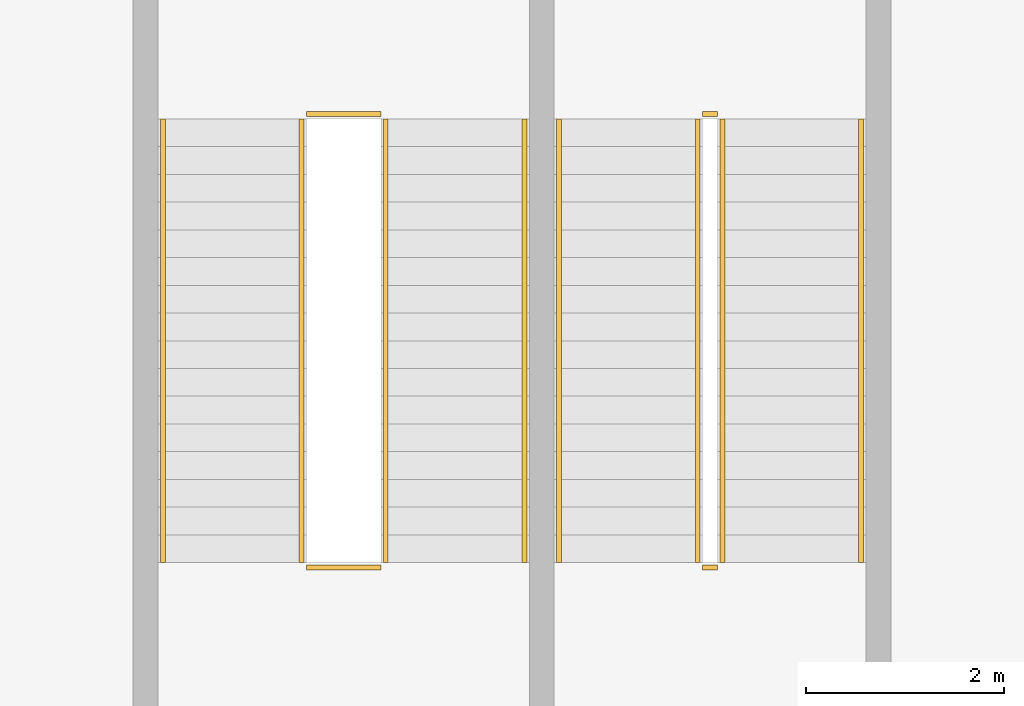
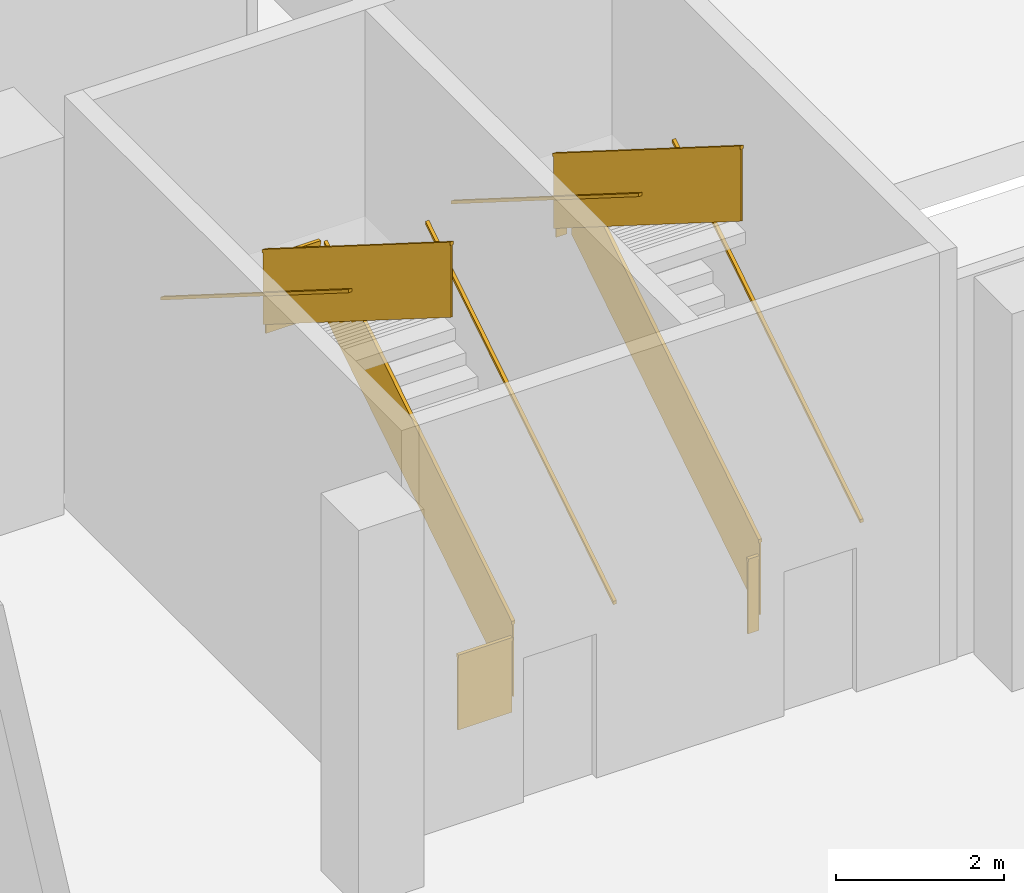
# One storey, part 22 of 24: 12 railings.
"""IFC4 building model written with IfcOpenShell, lengths in metres."""

from ifc_helpers import new_model, si_unit, direction, frame, origin, origin_2d, place, context, subcontext, project, spatial, rectangle, extrude, material, type_object, element, save


model = new_model("IFC4")

# Units and contexts
model_context = context("Model", 3, precision=1e-05, world=origin(), true_north=direction((0.0, 1.0)))
body_context = subcontext(model_context, "Body", "Model", "MODEL_VIEW")
ifc_project = project(units=[si_unit("LENGTHUNIT", "METRE"), si_unit("AREAUNIT", "SQUARE_METRE"), si_unit("VOLUMEUNIT", "CUBIC_METRE"), si_unit("PLANEANGLEUNIT", "RADIAN"), si_unit("MASSUNIT", "GRAM", prefix="KILO")], contexts=[model_context])

# Site, building, storey
site_placement = place(None, origin())
site = spatial("IfcSite", under=ifc_project, at=site_placement, CompositionType="ELEMENT")
building_placement = place(site_placement, origin())
building = spatial("IfcBuilding", under=site, at=building_placement, Name="Mirante Cascada Hotel Towers", CompositionType="ELEMENT")
storey_placement = place(building_placement, frame((0.0, 0.0, 17.5)))
storey = spatial("IfcBuildingStorey", under=building, at=storey_placement, Name="L02", CompositionType="ELEMENT", Elevation=17.5)

# Railings
ifc_material_1 = material(Name="Painted steel", Category="steel")
railing_type_1 = type_object("IfcRailingType", Name="Podium stair guard 1100 steel balustrade", PredefinedType="GUARDRAIL", material=ifc_material_1)
railing_1_placement = place(storey_placement, frame((-20.375, -15.775, 0.1765)))
element("IfcRailing", 1, at=railing_1_placement, inside=storey, type_object=railing_type_1, Name="L02 PS1 stair guard 1", PredefinedType="GUARDRAIL", context=body_context, shape_type="SweptSolid", body=[
    extrude(rectangle(XDim=0.048, YDim=0.048, at=origin_2d()), frame((0.0, 0.0, 1.076), z_axis=(0.0, 1.0, 0.0), x_axis=(-1.0, 0.0, 0.0)), (0.0, 0.5331864, 0.8459978), 5.2955),
    extrude(rectangle(XDim=0.02, YDim=1.052, at=origin_2d()), frame((0.0, 0.0, 0.526), z_axis=(0.0, 1.0, 0.0), x_axis=(-1.0, 0.0, 0.0)), (0.0, 0.5331864, 0.8459978), 5.2955),
])
railing_2_placement = place(storey_placement, frame((-20.425, -11.245, 3.0)))
element("IfcRailing", 2, at=railing_2_placement, inside=storey, type_object=railing_type_1, Name="L02 PS1 stair guard 2", PredefinedType="GUARDRAIL", context=body_context, shape_type="SweptSolid", body=[
    extrude(rectangle(XDim=0.048, YDim=0.048, at=origin_2d()), frame((0.0, 0.0, 1.076), z_axis=(-1.0, 0.0, 0.0), x_axis=(0.0, -1.0, 0.0)), (0.0, 0.0, 1.0), 0.15),
    extrude(rectangle(XDim=0.02, YDim=1.052, at=origin_2d()), frame((0.0, 0.0, 0.526), z_axis=(-1.0, 0.0, 0.0), x_axis=(0.0, -1.0, 0.0)), (0.0, 0.0, 1.0), 0.15),
])
railing_3_placement = place(storey_placement, frame((-20.625, -11.295, 3.1765)))
element("IfcRailing", 3, at=railing_3_placement, inside=storey, type_object=railing_type_1, Name="L02 PS1 stair guard 3", PredefinedType="GUARDRAIL", context=body_context, shape_type="SweptSolid", body=[
    extrude(rectangle(XDim=0.048, YDim=0.048, at=origin_2d()), frame((0.0, 0.0, 1.076), z_axis=(0.0, -1.0, 0.0), x_axis=(1.0, 0.0, 0.0)), (0.0, 0.5331864, 0.8459978), 5.2955),
    extrude(rectangle(XDim=0.02, YDim=1.052, at=origin_2d()), frame((0.0, 0.0, 0.526), z_axis=(0.0, -1.0, 0.0), x_axis=(1.0, 0.0, 0.0)), (0.0, 0.5331864, 0.8459978), 5.2955),
])
railing_4_placement = place(storey_placement, frame((-20.425, -15.825, 0.0)))
element("IfcRailing", 4, at=railing_4_placement, inside=storey, type_object=railing_type_1, Name="L02 PS1 stair guard 4", PredefinedType="GUARDRAIL", context=body_context, shape_type="SweptSolid", body=[
    extrude(rectangle(XDim=0.048, YDim=0.048, at=origin_2d()), frame((0.0, 0.0, 1.076), z_axis=(-1.0, 0.0, 0.0), x_axis=(0.0, -1.0, 0.0)), (0.0, 0.0, 1.0), 0.15),
    extrude(rectangle(XDim=0.02, YDim=1.052, at=origin_2d()), frame((0.0, 0.0, 0.526), z_axis=(-1.0, 0.0, 0.0), x_axis=(0.0, -1.0, 0.0)), (0.0, 0.0, 1.0), 0.15),
])
railing_5_placement = place(storey_placement, frame((-23.775, -15.775, 0.1765)))
element("IfcRailing", 5, at=railing_5_placement, inside=storey, type_object=railing_type_1, Name="L02 PS3 stair guard 1", PredefinedType="GUARDRAIL", context=body_context, shape_type="SweptSolid", body=[
    extrude(rectangle(XDim=0.048, YDim=0.048, at=origin_2d()), frame((0.0, 0.0, 1.076), z_axis=(0.0, 1.0, 0.0), x_axis=(-1.0, 0.0, 0.0)), (0.0, 0.5331864, 0.8459978), 5.2955),
    extrude(rectangle(XDim=0.02, YDim=1.052, at=origin_2d()), frame((0.0, 0.0, 0.526), z_axis=(0.0, 1.0, 0.0), x_axis=(-1.0, 0.0, 0.0)), (0.0, 0.5331864, 0.8459978), 5.2955),
])
railing_6_placement = place(storey_placement, frame((-23.825, -11.245, 3.0)))
element("IfcRailing", 6, at=railing_6_placement, inside=storey, type_object=railing_type_1, Name="L02 PS3 stair guard 2", PredefinedType="GUARDRAIL", context=body_context, shape_type="SweptSolid", body=[
    extrude(rectangle(XDim=0.048, YDim=0.048, at=origin_2d()), frame((0.0, 0.0, 1.076), z_axis=(-1.0, 0.0, 0.0), x_axis=(0.0, -1.0, 0.0)), (0.0, 0.0, 1.0), 0.75),
    extrude(rectangle(XDim=0.02, YDim=1.052, at=origin_2d()), frame((0.0, 0.0, 0.526), z_axis=(-1.0, 0.0, 0.0), x_axis=(0.0, -1.0, 0.0)), (0.0, 0.0, 1.0), 0.75),
])
railing_7_placement = place(storey_placement, frame((-24.625, -11.295, 3.1765)))
element("IfcRailing", 7, at=railing_7_placement, inside=storey, type_object=railing_type_1, Name="L02 PS3 stair guard 3", PredefinedType="GUARDRAIL", context=body_context, shape_type="SweptSolid", body=[
    extrude(rectangle(XDim=0.048, YDim=0.048, at=origin_2d()), frame((0.0, 0.0, 1.076), z_axis=(0.0, -1.0, 0.0), x_axis=(1.0, 0.0, 0.0)), (0.0, 0.5331864, 0.8459978), 5.2955),
    extrude(rectangle(XDim=0.02, YDim=1.052, at=origin_2d()), frame((0.0, 0.0, 0.526), z_axis=(0.0, -1.0, 0.0), x_axis=(1.0, 0.0, 0.0)), (0.0, 0.5331864, 0.8459978), 5.2955),
])
railing_8_placement = place(storey_placement, frame((-23.825, -15.825, 0.0)))
element("IfcRailing", 8, at=railing_8_placement, inside=storey, type_object=railing_type_1, Name="L02 PS3 stair guard 4", PredefinedType="GUARDRAIL", context=body_context, shape_type="SweptSolid", body=[
    extrude(rectangle(XDim=0.048, YDim=0.048, at=origin_2d()), frame((0.0, 0.0, 1.076), z_axis=(-1.0, 0.0, 0.0), x_axis=(0.0, -1.0, 0.0)), (0.0, 0.0, 1.0), 0.75),
    extrude(rectangle(XDim=0.02, YDim=1.052, at=origin_2d()), frame((0.0, 0.0, 0.526), z_axis=(-1.0, 0.0, 0.0), x_axis=(0.0, -1.0, 0.0)), (0.0, 0.0, 1.0), 0.75),
])
ifc_material_2 = material(Name="Painted steel", Category="steel")
railing_type_2 = type_object("IfcRailingType", Name="Podium stair handrail 900 steel tube", PredefinedType="HANDRAIL", material=ifc_material_2)
railing_9_placement = place(storey_placement, frame((-18.975, -15.775, 0.1765)))
element("IfcRailing", 9, at=railing_9_placement, inside=storey, type_object=railing_type_2, Name="L02 PS1 stair handrail 1", PredefinedType="HANDRAIL", context=body_context, shape_type="SweptSolid", body=[
    extrude(rectangle(XDim=0.048, YDim=0.048, at=origin_2d()), frame((0.0, 0.0, 0.876), z_axis=(0.0, 1.0, 0.0), x_axis=(-1.0, 0.0, 0.0)), (0.0, 0.5331864, 0.8459978), 5.2955),
])
railing_10_placement = place(storey_placement, frame((-22.025, -11.295, 3.1765)))
element("IfcRailing", 10, at=railing_10_placement, inside=storey, type_object=railing_type_2, Name="L02 PS1 stair handrail 2", PredefinedType="HANDRAIL", context=body_context, shape_type="SweptSolid", body=[
    extrude(rectangle(XDim=0.048, YDim=0.048, at=origin_2d()), frame((0.0, 0.0, 0.876), z_axis=(0.0, -1.0, 0.0), x_axis=(1.0, 0.0, 0.0)), (0.0, 0.5331864, 0.8459978), 5.2955),
])
railing_11_placement = place(storey_placement, frame((-22.375, -15.775, 0.1765)))
element("IfcRailing", 11, at=railing_11_placement, inside=storey, type_object=railing_type_2, Name="L02 PS3 stair handrail 1", PredefinedType="HANDRAIL", context=body_context, shape_type="SweptSolid", body=[
    extrude(rectangle(XDim=0.048, YDim=0.048, at=origin_2d()), frame((0.0, 0.0, 0.876), z_axis=(0.0, 1.0, 0.0), x_axis=(-1.0, 0.0, 0.0)), (0.0, 0.5331864, 0.8459978), 5.2955),
])
railing_12_placement = place(storey_placement, frame((-26.025, -11.295, 3.1765)))
element("IfcRailing", 12, at=railing_12_placement, inside=storey, type_object=railing_type_2, Name="L02 PS3 stair handrail 2", PredefinedType="HANDRAIL", context=body_context, shape_type="SweptSolid", body=[
    extrude(rectangle(XDim=0.048, YDim=0.048, at=origin_2d()), frame((0.0, 0.0, 0.876), z_axis=(0.0, -1.0, 0.0), x_axis=(1.0, 0.0, 0.0)), (0.0, 0.5331864, 0.8459978), 5.2955),
])

save(model, "model.ifc")
